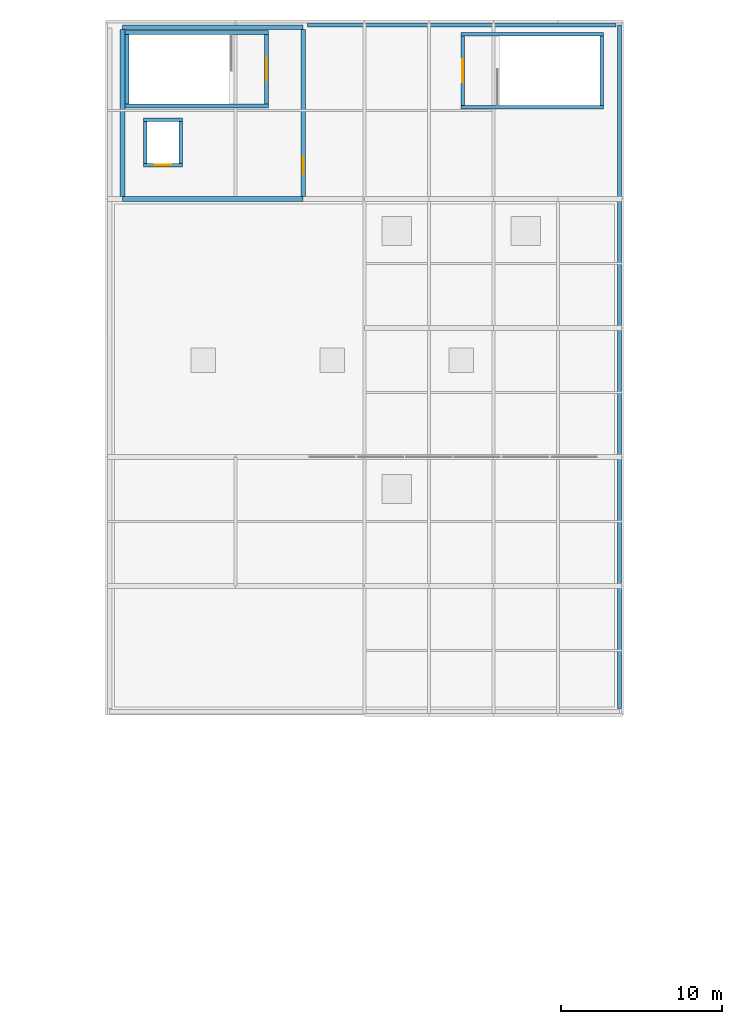
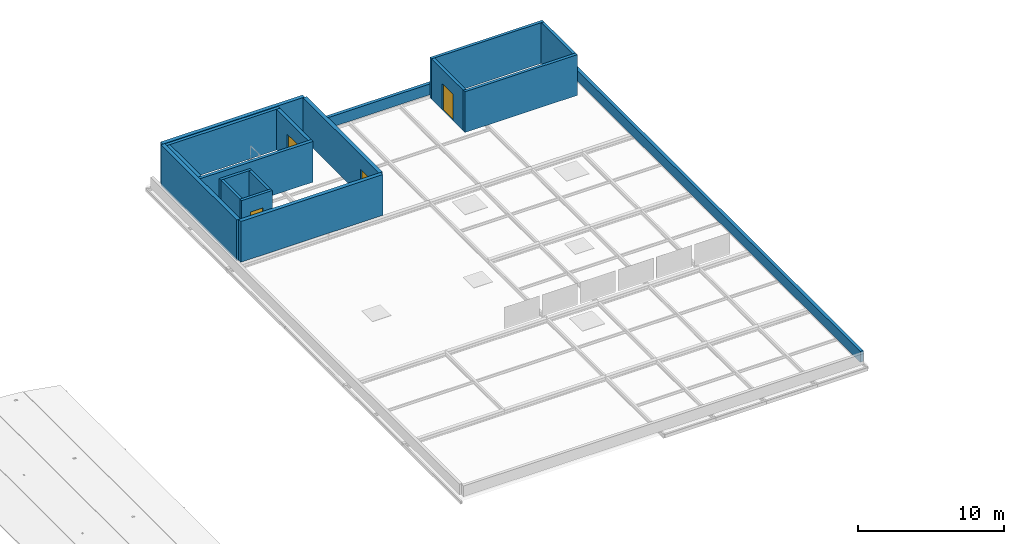
# One storey, part 53 of 54: 18 walls, 4 doors, 4 openings.
"""IFC4 building model written with IfcOpenShell, lengths in metres."""

from ifc_helpers import new_model, si_unit, derived_unit, direction, frame, frame_2d, origin, place, context, subcontext, project, spatial, rectangle, extrude, material, layer, layer_set, type_object, element, fill, save


model = new_model("IFC4")

# Units and contexts
model_context = context("Model", 3, precision=1e-05, world=origin(), true_north=direction((0.0, 1.0)))
body_context = subcontext(model_context, "Body", "Model", "MODEL_VIEW")
ifc_project = project(units=[si_unit("LENGTHUNIT", "METRE"), si_unit("AREAUNIT", "SQUARE_METRE"), si_unit("VOLUMEUNIT", "CUBIC_METRE"), si_unit("PLANEANGLEUNIT", "RADIAN"), si_unit("MASSUNIT", "GRAM", prefix="KILO"), derived_unit("THERMALTRANSMITTANCEUNIT", [(si_unit("POWERUNIT", "WATT"), 1), (si_unit("LENGTHUNIT", "METRE"), -2), (si_unit("THERMODYNAMICTEMPERATUREUNIT", "KELVIN"), -1)])], contexts=[model_context])

# Site, building, storey
site_placement = place(None, origin())
site = spatial("IfcSite", under=ifc_project, at=site_placement, CompositionType="ELEMENT")
building_placement = place(site_placement, origin())
building = spatial("IfcBuilding", under=site, at=building_placement, Name="Keldorne Ridge Multi-Sports Centre", CompositionType="ELEMENT")
storey_placement = place(building_placement, frame((0.0, 0.0, 22.199951171875)))
storey = spatial("IfcBuildingStorey", under=building, at=storey_placement, Name="ROOF", CompositionType="ELEMENT", Elevation=22.199951171875)

# Walls
ifc_material_1 = material(Name="Precast concrete C40/50", Category="concrete")
ifc_layer_1 = layer(ifc_material_1, 0.25)
ifc_layer_set_1 = layer_set([ifc_layer_1], Name="Precast concrete C40/50")
wall_type_1 = type_object("IfcWallType", Name="WAL-PP-01", PredefinedType="PARAPET", material=ifc_layer_set_1)
wall_1_placement = place(storey_placement, frame((135.800048828125, 74.39990234375, 0.0), z_axis=(0.0, 0.0, 1.0), x_axis=(0.0, 1.0, 0.0)))
element("IfcWall", 1, at=wall_1_placement, inside=storey, type_object=wall_type_1, Name="Roof parapet upstand 02", PredefinedType="PARAPET", context=body_context, shape_type="SweptSolid", body=[
    extrude(rectangle(XDim=42.400146484375, YDim=0.25, at=frame_2d((21.2001953125, 0.0))), origin(), (0.0, 0.0, 1.0), 0.900146484375),
])
wall_2_placement = place(storey_placement, frame((135.60009765625, 116.800048828125, 0.0), z_axis=(0.0, 0.0, 1.0), x_axis=(-1.0, 0.0, 0.0)))
element("IfcWall", 2, at=wall_2_placement, inside=storey, type_object=wall_type_1, Name="Roof parapet upstand 03", PredefinedType="PARAPET", context=body_context, shape_type="SweptSolid", body=[
    extrude(rectangle(XDim=19.150146484375, YDim=0.25, at=frame_2d((9.5751953125, 0.0))), origin(), (0.0, 0.0, 1.0), 0.900146484375),
])
ifc_layer_2 = layer(ifc_material_1, 0.300048828125)
ifc_layer_set_2 = layer_set([ifc_layer_2], Name="Precast concrete C40/50")
wall_type_2 = type_object("IfcWallType", Name="WAL-PR-W4", PredefinedType="STANDARD", material=ifc_layer_set_2)
for number, where, z_axis, x_axis, name in (
    (3, (105.0, 106.0, 0.0), (0.0, 0.0, 1.0), (1.0, 0.0, 0.0), "Core C1 roof headhouse south wall"),
    (4, (116.199951171875, 116.64990234375, 0.0), (0.0, 0.0, 1.0), (-1.0, 0.0, 0.0), "Core C1 roof headhouse north wall"),
):
    element("IfcWall", number, at=place(storey_placement, frame(where, z_axis=z_axis, x_axis=x_axis)), inside=storey, type_object=wall_type_2, Name=name, PredefinedType="STANDARD", context=body_context, shape_type="SweptSolid", body=[
        extrude(rectangle(XDim=11.199951171875, YDim=0.300048828125, at=frame_2d((5.60009765625, 0.0))), origin(), (0.0, 0.0, 1.0), 3.400146484375),
    ])
wall_3_placement = place(storey_placement, frame((105.0, 116.498046875, 0.0), z_axis=(0.0, 0.0, 1.0), x_axis=(0.0, -1.0, 0.0)))
element("IfcWall", 5, at=wall_3_placement, inside=storey, type_object=wall_type_2, Name="Core C1 roof headhouse west wall", PredefinedType="STANDARD", context=body_context, shape_type="SweptSolid", body=[
    extrude(rectangle(XDim=10.345947265625, YDim=0.300048828125, at=frame_2d((5.1728515625, 0.0))), origin(), (0.0, 0.0, 1.0), 3.400146484375),
])

# Wall, opening, door
wall_4_placement = place(storey_placement, frame((116.199951171875, 106.152099609375, 0.0), z_axis=(0.0, 0.0, 1.0), x_axis=(0.0, 1.0, 0.0)))
wall_4 = element("IfcWall", 6, at=wall_4_placement, inside=storey, type_object=wall_type_2, Name="Core C1 roof headhouse east wall", PredefinedType="STANDARD", context=body_context, shape_type="SweptSolid", body=[
    extrude(rectangle(XDim=10.345947265625, YDim=0.300048828125, at=frame_2d((5.1728515625, 0.0))), origin(), (0.0, 0.0, 1.0), 3.400146484375),
])
opening_1_placement = place(wall_4_placement, frame((1.367919921875, 0.0, 0.0)))
opening_1 = element("IfcOpeningElement", 7, at=opening_1_placement, cuts=wall_4, Name="Opening ED-04", PredefinedType="OPENING", context=body_context, shape_type="SweptSolid", body=[
    extrude(rectangle(XDim=1.10009765625, YDim=2.199951171875, at=frame_2d((0.550048828125, 1.10009765625))), frame((0.0, 0.16015625, 0.0), z_axis=(0.0, -1.0, 0.0), x_axis=(1.0, 0.0, 0.0)), (0.0, 0.0, 1.0), 0.320068359375),
])
ifc_material_2 = material(Name="Galvanized steel", Category="steel")
door_type_1 = type_object("IfcDoorType", Name="DR-ED-04", OperationType="NOTDEFINED", PredefinedType="DOOR", material=ifc_material_2)
door_1_placement = place(opening_1_placement, origin())
door_1 = element("IfcDoor", 8, at=door_1_placement, inside=storey, type_object=door_type_1, Name="Roof maintenance door from Core C1", OperationType="SINGLE_SWING_RIGHT", OverallHeight=2.199951171875, OverallWidth=1.10009765625, PredefinedType="DOOR", context=body_context, shape_type="SweptSolid", body=[
    extrude(rectangle(XDim=1.10009765625, YDim=2.199951171875, at=frame_2d((0.550048828125, 1.10009765625))), frame((0.0, 0.02490234375, 0.0), z_axis=(0.0, -1.0, 0.0), x_axis=(1.0, 0.0, 0.0)), (0.0, 0.0, 1.0), 0.050048828125),
])
fill(opening_1, door_1)

ifc_material_3 = material(Name="Concrete C40/50", Category="concrete")
ifc_layer_3 = layer(ifc_material_3, 0.25)
ifc_layer_set_3 = layer_set([ifc_layer_3], Name="Concrete C40/50")
wall_type_3 = type_object("IfcWallType", Name="WAL-SW01", PredefinedType="SHEAR", material=ifc_layer_set_3)
wall_5_placement = place(storey_placement, frame((113.925048828125, 111.89990234375, 0.0), z_axis=(0.0, 0.0, 1.0), x_axis=(0.0, 1.0, 0.0)))
wall_5 = element("IfcWall", 9, at=wall_5_placement, inside=storey, type_object=wall_type_3, Name="Stair ST-01 shaft wall ROOF NEAR", PredefinedType="SHEAR", context=body_context, shape_type="SweptSolid", body=[
    extrude(rectangle(XDim=4.300048828125, YDim=0.25, at=frame_2d((2.14990234375, 0.0))), origin(), (0.0, 0.0, 1.0), 3.400146484375),
])
opening_2_placement = place(wall_5_placement, frame((1.425048828125, 0.0, 0.0)))
opening_2 = element("IfcOpeningElement", 10, at=opening_2_placement, cuts=wall_5, Name="Opening D-05", PredefinedType="OPENING", context=body_context, shape_type="SweptSolid", body=[
    extrude(rectangle(XDim=1.449951171875, YDim=2.199951171875, at=frame_2d((0.72509765625, 1.10009765625))), frame((0.0, 0.135009765625, 0.0), z_axis=(0.0, -1.0, 0.0), x_axis=(1.0, 0.0, 0.0)), (0.0, 0.0, 1.0), 0.27001953125),
])
ifc_material_4 = material(Name="Steel fire-resisting pair", Category="steel")
door_type_2 = type_object("IfcDoorType", Name="DR-D-05", OperationType="NOTDEFINED", PredefinedType="DOOR", material=ifc_material_4)
door_2_placement = place(opening_2_placement, origin())
door_2 = element("IfcDoor", 11, at=door_2_placement, inside=storey, type_object=door_type_2, Name="Stair ST-01 ROOF fire door D-007", OperationType="DOUBLE_DOOR_SINGLE_SWING", OverallHeight=2.199951171875, OverallWidth=1.449951171875, PredefinedType="DOOR", context=body_context, shape_type="SweptSolid", body=[
    extrude(rectangle(XDim=1.449951171875, YDim=2.199951171875, at=frame_2d((0.72509765625, 1.10009765625))), frame((0.0, 0.02490234375, 0.0), z_axis=(0.0, -1.0, 0.0), x_axis=(1.0, 0.0, 0.0)), (0.0, 0.0, 1.0), 0.050048828125),
])
fill(opening_2, door_2)

# Walls
wall_6_placement = place(storey_placement, frame((105.27490234375, 116.199951171875, 0.0), z_axis=(0.0, 0.0, 1.0), x_axis=(0.0, -1.0, 0.0)))
element("IfcWall", 12, at=wall_6_placement, inside=storey, type_object=wall_type_3, Name="Stair ST-01 shaft wall ROOF FAR", PredefinedType="SHEAR", context=body_context, shape_type="SweptSolid", body=[
    extrude(rectangle(XDim=4.300048828125, YDim=0.25, at=frame_2d((2.14990234375, 0.0))), origin(), (0.0, 0.0, 1.0), 3.400146484375),
])
for number, where, z_axis, x_axis, name in (
    (13, (105.14990234375, 111.77490234375, 0.0), (0.0, 0.0, 1.0), (1.0, 0.0, 0.0), "Stair ST-01 shaft wall ROOF SOUTH"),
    (14, (114.050048828125, 116.324951171875, 0.0), (0.0, 0.0, 1.0), (-1.0, 0.0, 0.0), "Stair ST-01 shaft wall ROOF NORTH"),
):
    element("IfcWall", number, at=place(storey_placement, frame(where, z_axis=z_axis, x_axis=x_axis)), inside=storey, type_object=wall_type_3, Name=name, PredefinedType="SHEAR", context=body_context, shape_type="SweptSolid", body=[
        extrude(rectangle(XDim=8.900146484375, YDim=0.25, at=frame_2d((4.4501953125, 0.0))), origin(), (0.0, 0.0, 1.0), 3.400146484375),
    ])

# Wall, opening, door
ifc_layer_4 = layer(ifc_material_3, 0.22998046875)
ifc_layer_set_4 = layer_set([ifc_layer_4], Name="Concrete C40/50")
wall_type_4 = type_object("IfcWallType", Name="WAL-SW02", PredefinedType="SHEAR", material=ifc_layer_set_4)
wall_7_placement = place(storey_placement, frame((106.280029296875, 108.090087890625, 0.0), z_axis=(0.0, 0.0, 1.0), x_axis=(1.0, 0.0, 0.0)))
wall_7 = element("IfcWall", 15, at=wall_7_placement, inside=storey, type_object=wall_type_4, Name="Lift L-01 shaft wall ROOF south", PredefinedType="SHEAR", context=body_context, shape_type="SweptSolid", body=[
    extrude(rectangle(XDim=2.43994140625, YDim=0.219970703125, at=frame_2d((1.219970703125, 0.0))), origin(), (0.0, 0.0, 1.0), 3.400146484375),
])
opening_3_placement = place(wall_7_placement, frame((0.719970703125, 0.0, 0.0)))
opening_3 = element("IfcOpeningElement", 16, at=opening_3_placement, cuts=wall_7, Name="Opening LD-01", PredefinedType="OPENING", context=body_context, shape_type="SweptSolid", body=[
    extrude(rectangle(XDim=1.0, YDim=2.199951171875, at=frame_2d((0.5, 1.10009765625))), frame((0.0, 0.1201171875, 0.0), z_axis=(0.0, -1.0, 0.0), x_axis=(1.0, 0.0, 0.0)), (0.0, 0.0, 1.0), 0.239990234375),
])
ifc_material_5 = material(Name="Stainless steel", Category="steel")
door_type_3 = type_object("IfcDoorType", Name="DR-LD-01", OperationType="NOTDEFINED", PredefinedType="DOOR", material=ifc_material_5)
door_3_placement = place(opening_3_placement, origin())
door_3 = element("IfcDoor", 17, at=door_3_placement, inside=storey, type_object=door_type_3, Name="Lift L-01 sliding landing door ROOF", OperationType="SLIDING_TO_LEFT", OverallHeight=2.199951171875, OverallWidth=1.0, PredefinedType="DOOR", context=body_context, shape_type="SweptSolid", body=[
    extrude(rectangle(XDim=1.0, YDim=2.199951171875, at=frame_2d((0.5, 1.10009765625))), frame((0.0, 0.02490234375, 0.0), z_axis=(0.0, -1.0, 0.0), x_axis=(1.0, 0.0, 0.0)), (0.0, 0.0, 1.0), 0.050048828125),
])
fill(opening_3, door_3)

# Walls
wall_8_placement = place(storey_placement, frame((108.719970703125, 110.909912109375, 0.0), z_axis=(0.0, 0.0, 1.0), x_axis=(-1.0, 0.0, 0.0)))
element("IfcWall", 18, at=wall_8_placement, inside=storey, type_object=wall_type_4, Name="Lift L-01 shaft wall ROOF north", PredefinedType="SHEAR", context=body_context, shape_type="SweptSolid", body=[
    extrude(rectangle(XDim=2.43994140625, YDim=0.219970703125, at=frame_2d((1.219970703125, 0.0))), origin(), (0.0, 0.0, 1.0), 3.400146484375),
])
for number, where, z_axis, x_axis, name in (
    (19, (106.389892578125, 110.800048828125, 0.0), (0.0, 0.0, 1.0), (0.0, -1.0, 0.0), "Lift L-01 shaft wall ROOF west"),
    (20, (108.610107421875, 108.199951171875, 0.0), (0.0, 0.0, 1.0), (0.0, 1.0, 0.0), "Lift L-01 shaft wall ROOF east"),
):
    element("IfcWall", number, at=place(storey_placement, frame(where, z_axis=z_axis, x_axis=x_axis)), inside=storey, type_object=wall_type_4, Name=name, PredefinedType="SHEAR", context=body_context, shape_type="SweptSolid", body=[
        extrude(rectangle(XDim=2.60009765625, YDim=0.219970703125, at=frame_2d((1.300048828125, 0.0))), origin(), (0.0, 0.0, 1.0), 3.400146484375),
    ])

# Wall, opening, door
wall_9_placement = place(storey_placement, frame((126.0849609375, 111.800048828125, 0.0), z_axis=(0.0, 0.0, 1.0), x_axis=(0.0, 1.0, 0.0)))
wall_9 = element("IfcWall", 21, at=wall_9_placement, inside=storey, type_object=wall_type_4, Name="Stair ST-10 shaft wall ROOF NEAR", PredefinedType="SHEAR", context=body_context, shape_type="SweptSolid", body=[
    extrude(rectangle(XDim=4.300048828125, YDim=0.22998046875, at=frame_2d((2.14990234375, 0.0))), origin(), (0.0, 0.0, 1.0), 3.400146484375),
])
opening_4_placement = place(wall_9_placement, frame((1.425048828125, 0.0, 0.0)))
opening_4 = element("IfcOpeningElement", 22, at=opening_4_placement, cuts=wall_9, Name="Opening D-05", PredefinedType="OPENING", context=body_context, shape_type="SweptSolid", body=[
    extrude(rectangle(XDim=1.449951171875, YDim=2.199951171875, at=frame_2d((0.72509765625, 1.10009765625))), frame((0.0, 0.125, 0.0), z_axis=(0.0, -1.0, 0.0), x_axis=(1.0, 0.0, 0.0)), (0.0, 0.0, 1.0), 0.25),
])
door_4_placement = place(opening_4_placement, origin())
door_4 = element("IfcDoor", 23, at=door_4_placement, inside=storey, type_object=door_type_2, Name="Stair ST-10 ROOF fire door D-044", OperationType="DOUBLE_DOOR_SINGLE_SWING", OverallHeight=2.199951171875, OverallWidth=1.449951171875, PredefinedType="DOOR", context=body_context, shape_type="SweptSolid", body=[
    extrude(rectangle(XDim=1.449951171875, YDim=2.199951171875, at=frame_2d((0.72509765625, 1.10009765625))), frame((0.0, 0.02490234375, 0.0), z_axis=(0.0, -1.0, 0.0), x_axis=(1.0, 0.0, 0.0)), (0.0, 0.0, 1.0), 0.050048828125),
])
fill(opening_4, door_4)

# Walls
wall_10_placement = place(storey_placement, frame((134.715087890625, 116.10009765625, 0.0), z_axis=(0.0, 0.0, 1.0), x_axis=(0.0, -1.0, 0.0)))
element("IfcWall", 24, at=wall_10_placement, inside=storey, type_object=wall_type_4, Name="Stair ST-10 shaft wall ROOF FAR", PredefinedType="SHEAR", context=body_context, shape_type="SweptSolid", body=[
    extrude(rectangle(XDim=4.300048828125, YDim=0.22998046875, at=frame_2d((2.14990234375, 0.0))), origin(), (0.0, 0.0, 1.0), 3.400146484375),
])
for number, where, z_axis, x_axis, name in (
    (25, (125.969970703125, 111.68505859375, 0.0), (0.0, 0.0, 1.0), (1.0, 0.0, 0.0), "Stair ST-10 shaft wall ROOF SOUTH"),
    (26, (134.830078125, 116.215087890625, 0.0), (0.0, 0.0, 1.0), (-1.0, 0.0, 0.0), "Stair ST-10 shaft wall ROOF NORTH"),
):
    element("IfcWall", number, at=place(storey_placement, frame(where, z_axis=z_axis, x_axis=x_axis)), inside=storey, type_object=wall_type_4, Name=name, PredefinedType="SHEAR", context=body_context, shape_type="SweptSolid", body=[
        extrude(rectangle(XDim=8.860107421875, YDim=0.22998046875, at=frame_2d((4.43017578125, 0.0))), origin(), (0.0, 0.0, 1.0), 3.400146484375),
    ])

save(model, "model.ifc")
